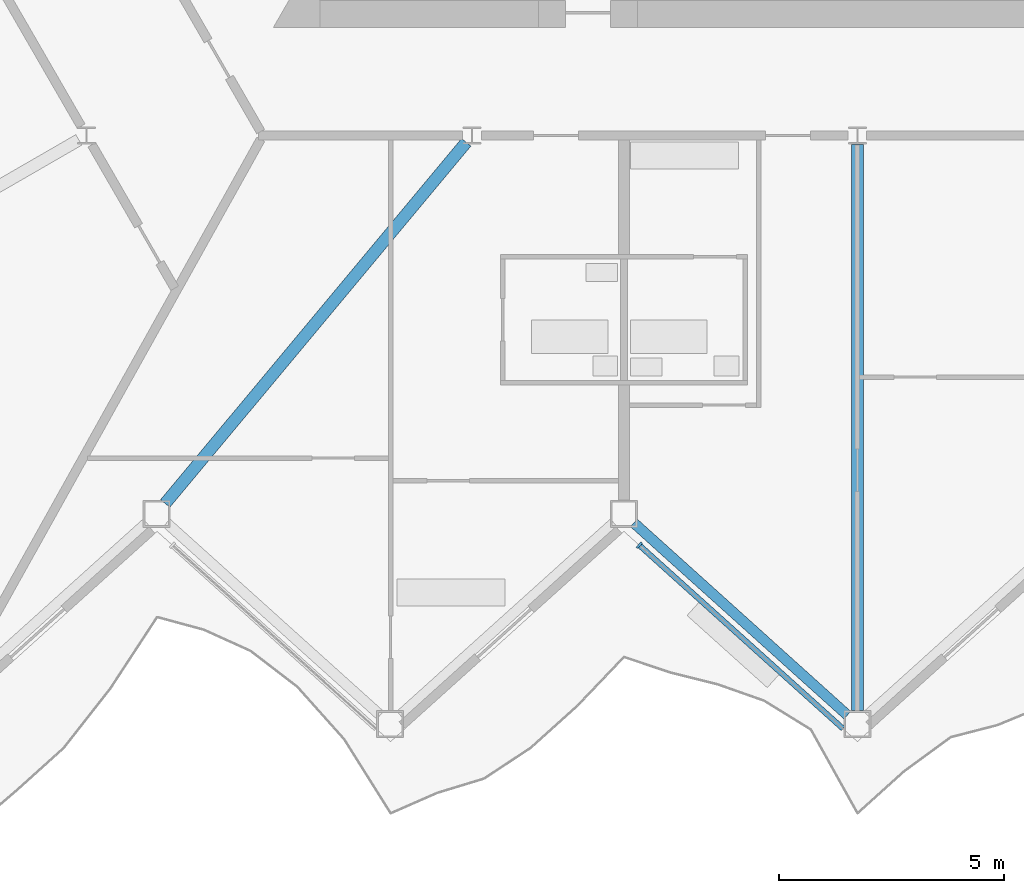
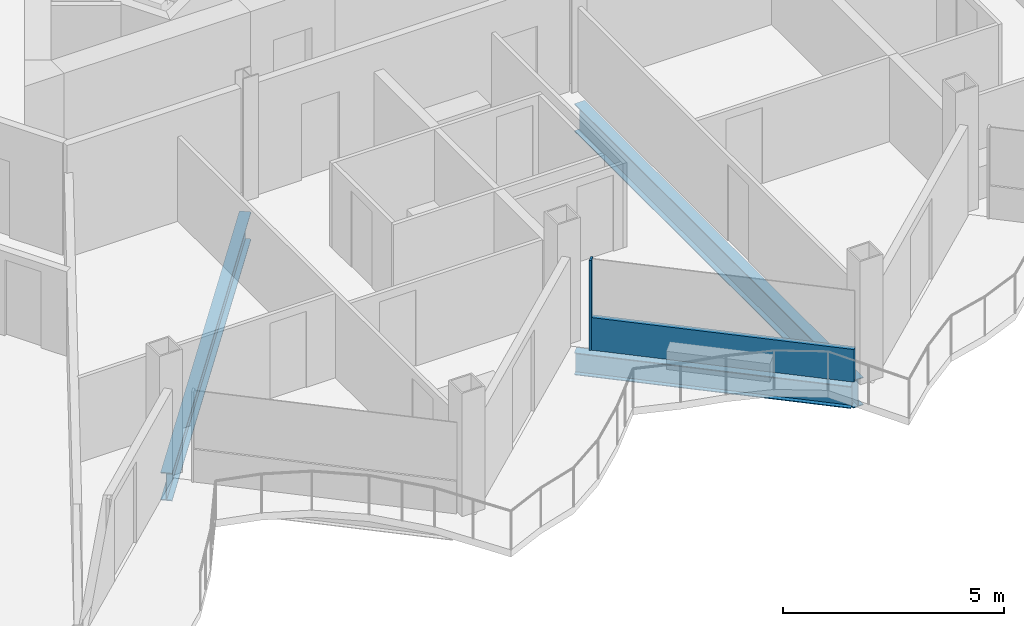
# One storey, part 5 of 26: 3 beams, 2 members, 1 element without a shape of its own.
"""IFC4 building model written with IfcOpenShell, lengths in metres."""

from ifc_helpers import new_model, si_unit, direction, frame, origin, origin_2d, place, context, subcontext, project, spatial, rectangle, i_section, extrude, material, layer, layer_set, material_profile, profile_set, type_object, element, aggregate, save


model = new_model("IFC4")

# Units and contexts
model_context = context("Model", 3, precision=1e-05, world=origin(), true_north=direction((0.0, 1.0)))
body_context = subcontext(model_context, "Body", "Model", "MODEL_VIEW")
ifc_project = project(units=[si_unit("LENGTHUNIT", "METRE"), si_unit("AREAUNIT", "SQUARE_METRE"), si_unit("VOLUMEUNIT", "CUBIC_METRE"), si_unit("PLANEANGLEUNIT", "RADIAN"), si_unit("MASSUNIT", "GRAM", prefix="KILO")], contexts=[model_context])

# Site, building, storey
site_placement = place(None, origin())
site = spatial("IfcSite", under=ifc_project, at=site_placement, CompositionType="ELEMENT")
building_placement = place(site_placement, origin())
building = spatial("IfcBuilding", under=site, at=building_placement, Name="Cormorant Prow Tower", CompositionType="ELEMENT")
storey_placement = place(building_placement, frame((0.0, 0.0, 322.199951171875)))
storey = spatial("IfcBuildingStorey", under=building, at=storey_placement, Name="L71", CompositionType="ELEMENT", Elevation=322.199951171875)

# Beams
ifc_material_1 = material(Name="Structural steel ASTM A992 Gr 50", Category="steel")
ifc_material_profile_1 = material_profile(ifc_material_1, i_section(OverallWidth=0.267822265625, OverallDepth=0.77001953125, WebThickness=0.015625, FlangeThickness=0.025390625, at=origin_2d()), Name="W30x132")
ifc_profile_set_1 = profile_set([ifc_material_profile_1], Name="Structural steel ASTM A992 Gr 50")
beam_type_1 = type_object("IfcBeamType", Name="Radial floor beam W30x132", PredefinedType="BEAM", material=ifc_profile_set_1)
beam_1_placement = place(storey_placement, frame((-8.705078125, -10.057373046875, -0.684814453125), z_axis=(-0.640239469619, -0.768175384624, 0.0), x_axis=(0.768175384624, -0.640239469619, 0.0)))
element("IfcBeam", 1, at=beam_1_placement, inside=storey, type_object=beam_type_1, Name="Radial floor beam FB3 6 L71", PredefinedType="BEAM", context=body_context, shape_type="SweptSolid", body=[
    extrude(i_section(OverallWidth=0.267822265625, OverallDepth=0.77001953125, WebThickness=0.015625, FlangeThickness=0.025390625, at=origin_2d()), origin(), (0.0, 0.0, 1.0), 10.465087890625),
])
beam_2_placement = place(storey_placement, frame((0.0, -10.103271484375, -0.684814453125), z_axis=(0.0, -1.0, 0.0), x_axis=(1.0, 0.0, 0.0)))
element("IfcBeam", 2, at=beam_2_placement, inside=storey, type_object=beam_type_1, Name="Radial floor beam FB3 7 L71", PredefinedType="BEAM", context=body_context, shape_type="SweptSolid", body=[
    extrude(i_section(OverallWidth=0.267822265625, OverallDepth=0.77001953125, WebThickness=0.015625, FlangeThickness=0.025390625, at=origin_2d()), origin(), (0.0, 0.0, 1.0), 12.604736328125),
])

# Curtain wall, members
ifc_material_2 = material(Name="Aluminium 6063-T6", Category="aluminium")
ifc_layer = layer(ifc_material_2, 0.159912109375)
ifc_layer_set = layer_set([ifc_layer], Name="Aluminium 6063-T6")
curtain_wall_type = type_object("IfcCurtainWallType", Name="Residential unitised curtain wall 160", PredefinedType="NOTDEFINED", material=ifc_layer_set)
curtain_wall_placement = place(storey_placement, origin())
curtain_wall = element("IfcCurtainWall", 3, at=curtain_wall_placement, inside=storey, type_object=curtain_wall_type, Name="Residential curtain wall S04", PredefinedType="NOTDEFINED")
ifc_material_3 = material(Name="Aluminium 6063-T6", Category="aluminium")
ifc_material_profile_2 = material_profile(ifc_material_3, rectangle(XDim=0.159912109375, YDim=0.050048828125, at=origin_2d()), Name="Residential mullion 50x160")
ifc_profile_set_2 = profile_set([ifc_material_profile_2], Name="Aluminium 6063-T6")
member_type_1 = type_object("IfcMemberType", Name="Residential mullion 50x160", PredefinedType="MULLION", material=ifc_profile_set_2)
member_1_placement = place(storey_placement, frame((-4.853515625, -19.025146484375, 0.0), z_axis=(0.0, 0.0, 1.0), x_axis=(0.669130654479, 0.74314478215, 0.0)))
member_1 = element("IfcMember", 4, at=member_1_placement, type_object=member_type_1, Name="Residential mullion S04", PredefinedType="MULLION", context=body_context, shape_type="SweptSolid", body=[
    extrude(rectangle(XDim=0.159912109375, YDim=0.050048828125, at=origin_2d()), origin(), (0.0, 0.0, 1.0), 2.488037109375),
])
ifc_material_4 = material(Name="Terracotta", Category="masonry")
ifc_material_profile_3 = material_profile(ifc_material_4, rectangle(XDim=0.1201171875, YDim=0.89990234375, at=origin_2d()), Name="Residential terracotta spandrel rail 120x900")
ifc_profile_set_3 = profile_set([ifc_material_profile_3], Name="Terracotta")
member_type_2 = type_object("IfcMemberType", Name="Residential terracotta spandrel rail 120x900", PredefinedType="USERDEFINED", material=ifc_profile_set_3)
member_2_placement = place(storey_placement, frame((-4.8349609375, -19.0419921875, 0.449951171875), z_axis=(0.74314818338, -0.669126877012, 0.0), x_axis=(0.669126877012, 0.74314818338, 0.0)))
member_2 = element("IfcMember", 5, at=member_2_placement, type_object=member_type_2, Name="Residential spandrel rail S04", ObjectType="TRANSOM", PredefinedType="USERDEFINED", context=body_context, shape_type="SweptSolid", body=[
    extrude(rectangle(XDim=0.1201171875, YDim=0.89990234375, at=origin_2d()), origin(), (0.0, 0.0, 1.0), 6.072021484375),
])
aggregate(curtain_wall, [member_1, member_2])

# Beam
ifc_material_5 = material(Name="Structural steel ASTM A992 Gr 50", Category="steel")
ifc_material_profile_4 = material_profile(ifc_material_5, i_section(OverallWidth=0.22900390625, OverallDepth=0.612060546875, WebThickness=0.011962890625, FlangeThickness=0.01953125, at=origin_2d()), Name="W24x84")
ifc_profile_set_4 = profile_set([ifc_material_profile_4], Name="Structural steel ASTM A992 Gr 50")
beam_type_2 = type_object("IfcBeamType", Name="Spandrel beam W24x84", PredefinedType="SPANDREL", material=ifc_profile_set_4)
beam_3_placement = place(storey_placement, frame((-4.97607421875, -18.527587890625, -0.60595703125), z_axis=(0.743144186555, -0.669131315954, 0.0), x_axis=(0.669131315954, 0.743144186555, 0.0)))
element("IfcBeam", 6, at=beam_3_placement, inside=storey, type_object=beam_type_2, Name="Spandrel beam SB3 S04-S05 L71", PredefinedType="SPANDREL", context=body_context, shape_type="SweptSolid", body=[
    extrude(i_section(OverallWidth=0.22900390625, OverallDepth=0.612060546875, WebThickness=0.011962890625, FlangeThickness=0.01953125, at=origin_2d()), origin(), (0.0, 0.0, 1.0), 6.39599609375),
])

save(model, "model.ifc")
